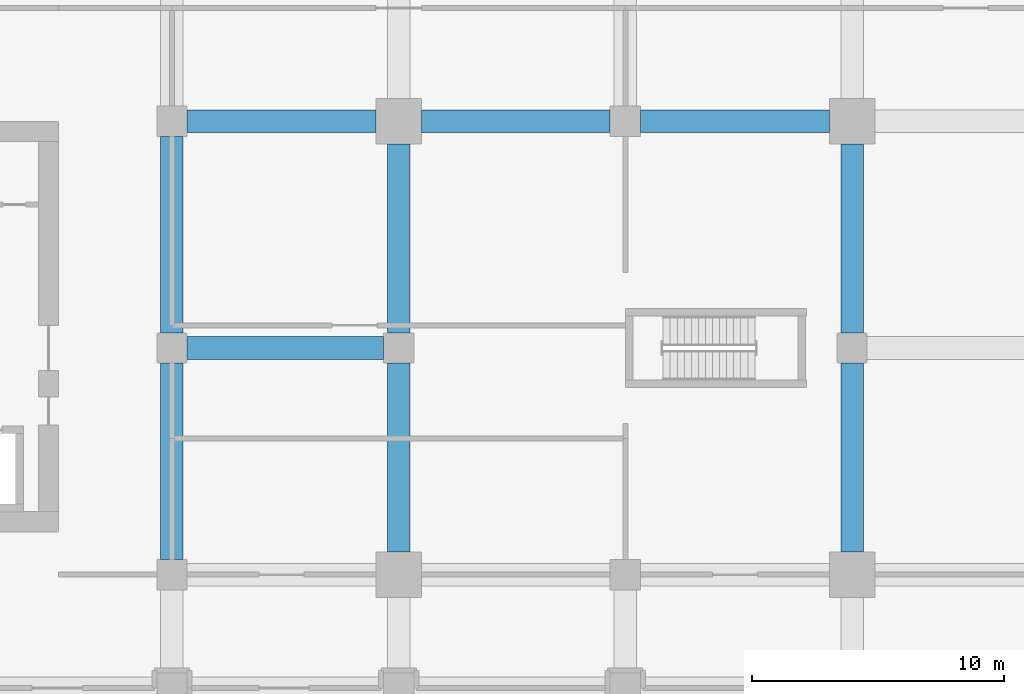
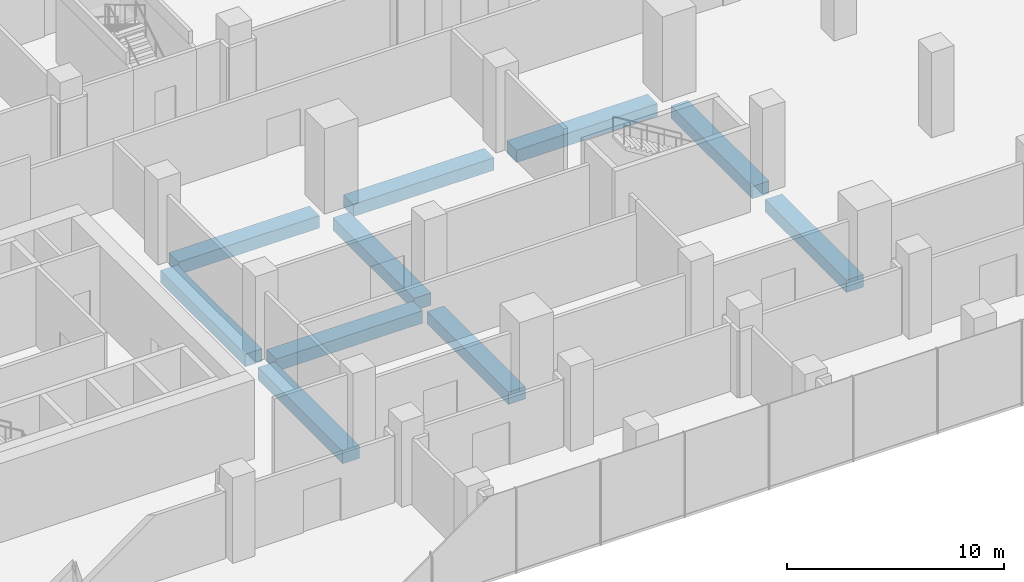
# One storey, part 7 of 42: 10 beams.
"""IFC4 building model written with IfcOpenShell, lengths in metres."""

from ifc_helpers import new_model, si_unit, direction, frame, origin, origin_2d, place, context, subcontext, project, spatial, rectangle, extrude, material, material_profile, profile_set, type_object, element, save


model = new_model("IFC4")

# Units and contexts
model_context = context("Model", 3, precision=1e-05, world=origin(), true_north=direction((0.0, 1.0)))
body_context = subcontext(model_context, "Body", "Model", "MODEL_VIEW")
ifc_project = project(units=[si_unit("LENGTHUNIT", "METRE"), si_unit("AREAUNIT", "SQUARE_METRE"), si_unit("VOLUMEUNIT", "CUBIC_METRE"), si_unit("PLANEANGLEUNIT", "RADIAN"), si_unit("MASSUNIT", "GRAM", prefix="KILO")], contexts=[model_context])

# Site, building, storey
site_placement = place(None, origin())
site = spatial("IfcSite", under=ifc_project, at=site_placement, CompositionType="ELEMENT")
building_placement = place(site_placement, origin())
building = spatial("IfcBuilding", under=site, at=building_placement, Name="Plateau Cross Towers", CompositionType="ELEMENT")
storey_placement = place(building_placement, frame((0.0, 0.0, 8.0)))
storey = spatial("IfcBuildingStorey", under=building, at=storey_placement, Name="L01", CompositionType="ELEMENT", Elevation=8.0)

# Beams
ifc_material = material(Name="Concrete C50/60", Category="concrete")
ifc_material_profile = material_profile(ifc_material, rectangle(XDim=0.89990234375, YDim=0.699951171875, at=origin_2d()), Name="RC 900x700")
ifc_profile_set = profile_set([ifc_material_profile], Name="Concrete C50/60")
beam_type = type_object("IfcBeamType", Name="Podium band beam RC 900x700", PredefinedType="BEAM", material=ifc_profile_set)
beam_placement = place(storey_placement, frame((27.60009765625, 9.0, -0.699951171875), z_axis=(1.0, 0.0, 0.0), x_axis=(0.0, 1.0, 0.0)))
element("IfcBeam", 1, at=beam_placement, inside=storey, type_object=beam_type, Name="PB26@L01", PredefinedType="BEAM", context=body_context, shape_type="SweptSolid", body=[
    extrude(rectangle(XDim=0.89990234375, YDim=0.699951171875, at=origin_2d()), origin(), (0.0, 0.0, 1.0), 7.7998046875),
])
for number, where, z_axis, x_axis, name in (
    (2, (27.60009765625, 18.0, -0.699951171875), (1.0, 0.0, 0.0), (0.0, 1.0, 0.0), "PB28@L01"),
    (3, (36.89990234375, 18.0, -0.699951171875), (1.0, 0.0, 0.0), (0.0, 1.0, 0.0), "PB29@L01"),
    (4, (45.60009765625, 18.0, -0.699951171875), (1.0, 0.0, 0.0), (0.0, 1.0, 0.0), "PB30@L01"),
):
    element("IfcBeam", number, at=place(storey_placement, frame(where, z_axis=z_axis, x_axis=x_axis)), inside=storey, type_object=beam_type, Name=name, PredefinedType="BEAM", context=body_context, shape_type="SweptSolid", body=[
        extrude(rectangle(XDim=0.89990234375, YDim=0.699951171875, at=origin_2d()), origin(), (0.0, 0.0, 1.0), 7.5),
    ])
for number, where, z_axis, x_axis, name in (
    (5, (27.0, 0.60009765625, -0.699951171875), (0.0, 1.0, 0.0), (-1.0, 0.0, 0.0), "PB116@L01"),
    (6, (27.0, 9.60009765625, -0.699951171875), (0.0, 1.0, 0.0), (-1.0, 0.0, 0.0), "PB117@L01"),
):
    element("IfcBeam", number, at=place(storey_placement, frame(where, z_axis=z_axis, x_axis=x_axis)), inside=storey, type_object=beam_type, Name=name, PredefinedType="BEAM", context=body_context, shape_type="SweptSolid", body=[
        extrude(rectangle(XDim=0.89990234375, YDim=0.699951171875, at=origin_2d()), origin(), (0.0, 0.0, 1.0), 7.7998046875),
    ])
for number, where, z_axis, x_axis, name in (
    (7, (36.0, 0.89990234375, -0.699951171875), (0.0, 1.0, 0.0), (-1.0, 0.0, 0.0), "PB125@L01"),
    (8, (36.0, 9.60009765625, -0.699951171875), (0.0, 1.0, 0.0), (-1.0, 0.0, 0.0), "PB126@L01"),
    (9, (54.0, 0.89990234375, -0.699951171875), (0.0, 1.0, 0.0), (-1.0, 0.0, 0.0), "PB141@L01"),
    (10, (54.0, 9.60009765625, -0.699951171875), (0.0, 1.0, 0.0), (-1.0, 0.0, 0.0), "PB142@L01"),
):
    element("IfcBeam", number, at=place(storey_placement, frame(where, z_axis=z_axis, x_axis=x_axis)), inside=storey, type_object=beam_type, Name=name, PredefinedType="BEAM", context=body_context, shape_type="SweptSolid", body=[
        extrude(rectangle(XDim=0.89990234375, YDim=0.699951171875, at=origin_2d()), origin(), (0.0, 0.0, 1.0), 7.5),
    ])

save(model, "model.ifc")
